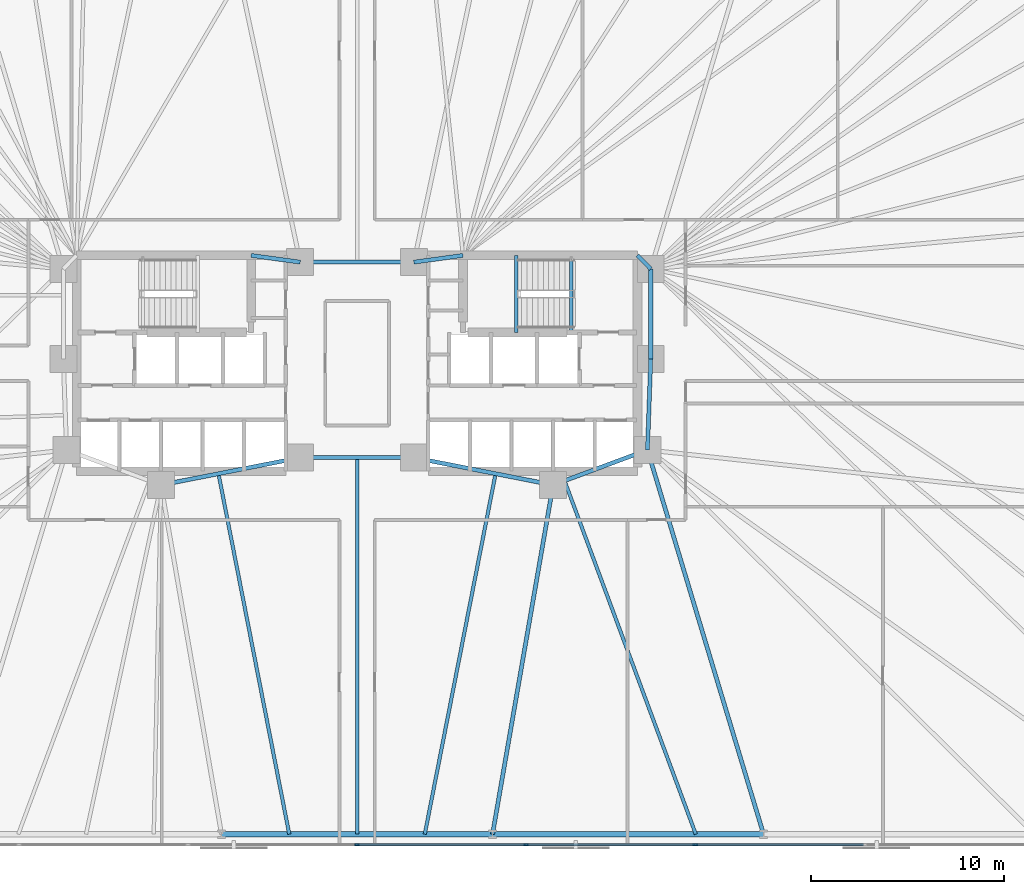
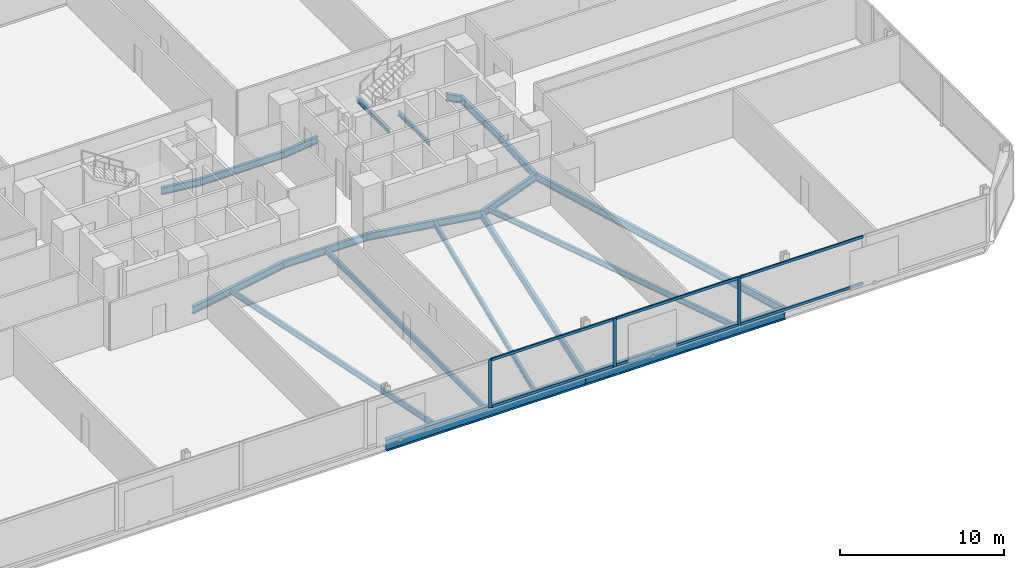
# One storey, part 7 of 17: 20 beams, 9 members, 1 element without a shape of its own.
"""IFC4 building model written with IfcOpenShell, lengths in metres."""

from ifc_helpers import new_model, si_unit, direction, frame, origin, origin_2d, place, context, subcontext, project, spatial, rectangle, i_section, extrude, material, material_profile, profile_set, type_object, element, aggregate, save


model = new_model("IFC4")

# Units and contexts
model_context = context("Model", 3, precision=1e-05, world=origin(), true_north=direction((0.0, 1.0)))
body_context = subcontext(model_context, "Body", "Model", "MODEL_VIEW")
ifc_project = project(units=[si_unit("LENGTHUNIT", "METRE"), si_unit("AREAUNIT", "SQUARE_METRE"), si_unit("VOLUMEUNIT", "CUBIC_METRE"), si_unit("PLANEANGLEUNIT", "RADIAN"), si_unit("MASSUNIT", "GRAM", prefix="KILO")], contexts=[model_context])

# Site, building, storey
site_placement = place(None, origin())
site = spatial("IfcSite", under=ifc_project, at=site_placement, CompositionType="ELEMENT")
building_placement = place(site_placement, origin())
building = spatial("IfcBuilding", under=site, at=building_placement, Name="Menara Jurai Vektor", CompositionType="ELEMENT")
storey_placement = place(building_placement, frame((0.0, 0.0, 18.0)))
storey = spatial("IfcBuildingStorey", under=building, at=storey_placement, Name="L03", CompositionType="ELEMENT", Elevation=18.0)

# Curtain wall, members
ifc_material_1 = material(Name="Anodised Pale Aluminium & Low-E Double Glazing", Category="aluminium")
curtain_wall_type = type_object("IfcCurtainWallType", Name="CW-BLK1", PredefinedType="NOTDEFINED", material=ifc_material_1)
curtain_wall_placement = place(storey_placement, origin())
curtain_wall = element("IfcCurtainWall", 1, at=curtain_wall_placement, inside=storey, type_object=curtain_wall_type, Name="Unitised Curtain Wall L03 F01", PredefinedType="NOTDEFINED")
ifc_material_2 = material(Name="Anodised Pale Aluminium Mullion", Category="aluminium")
ifc_material_profile_1 = material_profile(ifc_material_2, rectangle(XDim=0.094970703125, YDim=0.239990234375, at=origin_2d()), Name="ALU MUL 95x240")
ifc_profile_set_1 = profile_set([ifc_material_profile_1], Name="Anodised Pale Aluminium Mullion")
member_type_1 = type_object("IfcMemberType", Name="CW-BLK1-MUL", PredefinedType="MULLION", material=ifc_profile_set_1)
member_1_placement = place(storey_placement, frame((0.0, -25.0, 0.0), z_axis=(0.0, 0.0, 1.0), x_axis=(0.0, 1.0, 0.0)))
member_1 = element("IfcMember", 2, at=member_1_placement, type_object=member_type_1, Name="CW-01 mullion 5", PredefinedType="MULLION", context=body_context, shape_type="SweptSolid", body=[
    extrude(rectangle(XDim=0.094970703125, YDim=0.239990234375, at=origin_2d()), origin(), (0.0, 0.0, 1.0), 3.574951171875),
])
member_2_placement = place(storey_placement, frame((8.780029296875, -25.0, 0.0), z_axis=(0.0, 0.0, 1.0), x_axis=(0.0, 1.0, 0.0)))
member_2 = element("IfcMember", 3, at=member_2_placement, type_object=member_type_1, Name="CW-01 mullion 6", PredefinedType="MULLION", context=body_context, shape_type="SweptSolid", body=[
    extrude(rectangle(XDim=0.094970703125, YDim=0.239990234375, at=origin_2d()), origin(), (0.0, 0.0, 1.0), 3.574951171875),
])
member_3_placement = place(storey_placement, frame((17.56005859375, -25.0, 0.0), z_axis=(0.0, 0.0, 1.0), x_axis=(0.0, 1.0, 0.0)))
member_3 = element("IfcMember", 4, at=member_3_placement, type_object=member_type_1, Name="CW-01 mullion 7", PredefinedType="MULLION", context=body_context, shape_type="SweptSolid", body=[
    extrude(rectangle(XDim=0.094970703125, YDim=0.239990234375, at=origin_2d()), origin(), (0.0, 0.0, 1.0), 3.574951171875),
])
ifc_material_3 = material(Name="Anodised Pale Aluminium Transom", Category="aluminium")
ifc_material_profile_2 = material_profile(ifc_material_3, rectangle(XDim=0.094970703125, YDim=0.199951171875, at=origin_2d()), Name="ALU TRN 95x200")
ifc_profile_set_2 = profile_set([ifc_material_profile_2], Name="Anodised Pale Aluminium Transom")
member_type_2 = type_object("IfcMemberType", Name="CW-BLK1-TRN", PredefinedType="USERDEFINED", material=ifc_profile_set_2)
member_4_placement = place(storey_placement, frame((0.047607421875, -25.0, 0.047607421875), z_axis=(1.0, 0.0, 0.0), x_axis=(0.0, 1.0, 0.0)))
member_4 = element("IfcMember", 5, at=member_4_placement, type_object=member_type_2, Name="CW-01 transom 5.1", ObjectType="TRANSOM", PredefinedType="USERDEFINED", context=body_context, shape_type="SweptSolid", body=[
    extrude(rectangle(XDim=0.094970703125, YDim=0.199951171875, at=origin_2d()), origin(), (0.0, 0.0, 1.0), 8.684814453125),
])
member_5_placement = place(storey_placement, frame((0.047607421875, -25.0, 3.527587890625), z_axis=(1.0, 0.0, 0.0), x_axis=(0.0, 1.0, 0.0)))
member_5 = element("IfcMember", 6, at=member_5_placement, type_object=member_type_2, Name="CW-01 transom 5.2", ObjectType="TRANSOM", PredefinedType="USERDEFINED", context=body_context, shape_type="SweptSolid", body=[
    extrude(rectangle(XDim=0.094970703125, YDim=0.199951171875, at=origin_2d()), origin(), (0.0, 0.0, 1.0), 8.684814453125),
])
member_6_placement = place(storey_placement, frame((8.827392578125, -25.0, 0.047607421875), z_axis=(1.0, 0.0, 0.0), x_axis=(0.0, 1.0, 0.0)))
member_6 = element("IfcMember", 7, at=member_6_placement, type_object=member_type_2, Name="CW-01 transom 6.1", ObjectType="TRANSOM", PredefinedType="USERDEFINED", context=body_context, shape_type="SweptSolid", body=[
    extrude(rectangle(XDim=0.094970703125, YDim=0.199951171875, at=origin_2d()), origin(), (0.0, 0.0, 1.0), 8.68505859375),
])
member_7_placement = place(storey_placement, frame((8.827392578125, -25.0, 3.527587890625), z_axis=(1.0, 0.0, 0.0), x_axis=(0.0, 1.0, 0.0)))
member_7 = element("IfcMember", 8, at=member_7_placement, type_object=member_type_2, Name="CW-01 transom 6.2", ObjectType="TRANSOM", PredefinedType="USERDEFINED", context=body_context, shape_type="SweptSolid", body=[
    extrude(rectangle(XDim=0.094970703125, YDim=0.199951171875, at=origin_2d()), origin(), (0.0, 0.0, 1.0), 8.68505859375),
])
member_8_placement = place(storey_placement, frame((17.607421875, -25.0, 0.047607421875), z_axis=(1.0, 0.0, 0.0), x_axis=(0.0, 1.0, 0.0)))
member_8 = element("IfcMember", 9, at=member_8_placement, type_object=member_type_2, Name="CW-01 transom 7.1", ObjectType="TRANSOM", PredefinedType="USERDEFINED", context=body_context, shape_type="SweptSolid", body=[
    extrude(rectangle(XDim=0.094970703125, YDim=0.199951171875, at=origin_2d()), origin(), (0.0, 0.0, 1.0), 8.68505859375),
])
member_9_placement = place(storey_placement, frame((17.607421875, -25.0, 3.527587890625), z_axis=(1.0, 0.0, 0.0), x_axis=(0.0, 1.0, 0.0)))
member_9 = element("IfcMember", 10, at=member_9_placement, type_object=member_type_2, Name="CW-01 transom 7.2", ObjectType="TRANSOM", PredefinedType="USERDEFINED", context=body_context, shape_type="SweptSolid", body=[
    extrude(rectangle(XDim=0.094970703125, YDim=0.199951171875, at=origin_2d()), origin(), (0.0, 0.0, 1.0), 8.68505859375),
])
aggregate(curtain_wall, [member_1, member_2, member_3, member_4, member_5, member_6, member_7, member_8, member_9])

# Beams
ifc_material_4 = material(Name="Steel S355", Category="steel")
ifc_material_profile_3 = material_profile(ifc_material_4, i_section(OverallWidth=0.2109375, OverallDepth=0.5390625, WebThickness=0.011962890625, FlangeThickness=0.01904296875, FilletRadius=0.012939453125, at=origin_2d()), Name="UKB 533x210x109")
ifc_profile_set_3 = profile_set([ifc_material_profile_3], Name="Steel S355")
beam_type_1 = type_object("IfcBeamType", Name="STR-BM-533", PredefinedType="BEAM", material=ifc_profile_set_3)
beam_1_placement = place(storey_placement, frame((-5.5, 5.60009765625, -0.494384765625), z_axis=(0.990706818608, -0.136014703483, 0.0), x_axis=(0.136014703483, 0.990706818608, 0.0)))
element("IfcBeam", 11, at=beam_1_placement, inside=storey, type_object=beam_type_1, Name="Core Ring Header Girder L03-CHW-N2", PredefinedType="BEAM", context=body_context, shape_type="SweptSolid", body=[
    extrude(i_section(OverallWidth=0.2109375, OverallDepth=0.5390625, WebThickness=0.011962890625, FlangeThickness=0.01904296875, FilletRadius=0.012939453125, at=origin_2d()), origin(), (0.0, 0.0, 1.0), 2.573974609375),
])
beam_2_placement = place(storey_placement, frame((-10.179931640625, -6.320068359375, -0.494384765625), z_axis=(0.981249044334, 0.192744164614, 0.0), x_axis=(-0.192744164614, 0.981249044334, 0.0)))
element("IfcBeam", 12, at=beam_2_placement, inside=storey, type_object=beam_type_1, Name="Core Ring Header Girder L03-CHW-S2", PredefinedType="BEAM", context=body_context, shape_type="SweptSolid", body=[
    extrude(i_section(OverallWidth=0.2109375, OverallDepth=0.5390625, WebThickness=0.011962890625, FlangeThickness=0.01904296875, FilletRadius=0.012939453125, at=origin_2d()), origin(), (0.0, 0.0, 1.0), 7.3681640625),
])
beam_3_placement = place(storey_placement, frame((2.949951171875, 5.25, -0.494384765625), z_axis=(0.990706818608, 0.136014703483, 0.0), x_axis=(-0.136014703483, 0.990706818608, 0.0)))
element("IfcBeam", 13, at=beam_3_placement, inside=storey, type_object=beam_type_1, Name="Core Ring Header Girder L03-CHE-N1", PredefinedType="BEAM", context=body_context, shape_type="SweptSolid", body=[
    extrude(i_section(OverallWidth=0.2109375, OverallDepth=0.5390625, WebThickness=0.011962890625, FlangeThickness=0.01904296875, FilletRadius=0.012939453125, at=origin_2d()), origin(), (0.0, 0.0, 1.0), 2.573974609375),
])
beam_4_placement = place(storey_placement, frame((14.56005859375, 5.60009765625, -0.494384765625), z_axis=(0.701871936926, -0.712303154672, 0.0), x_axis=(0.712303154672, 0.701871936926, 0.0)))
element("IfcBeam", 14, at=beam_4_placement, inside=storey, type_object=beam_type_1, Name="Core Ring Header Girder L03-CHE-N2", PredefinedType="BEAM", context=body_context, shape_type="SweptSolid", body=[
    extrude(i_section(OverallWidth=0.2109375, OverallDepth=0.5390625, WebThickness=0.011962890625, FlangeThickness=0.01904296875, FilletRadius=0.012939453125, at=origin_2d()), origin(), (0.0, 0.0, 1.0), 0.98291015625),
])
beam_5_placement = place(storey_placement, frame((15.25, 0.219970703125, -0.494384765625), z_axis=(0.0, 1.0, 0.0), x_axis=(-1.0, 0.0, 0.0)))
element("IfcBeam", 15, at=beam_5_placement, inside=storey, type_object=beam_type_1, Name="Core Ring Header Girder L03-CHE-E1", PredefinedType="BEAM", context=body_context, shape_type="SweptSolid", body=[
    extrude(i_section(OverallWidth=0.2109375, OverallDepth=0.5390625, WebThickness=0.011962890625, FlangeThickness=0.01904296875, FilletRadius=0.012939453125, at=origin_2d()), origin(), (0.0, 0.0, 1.0), 4.679931640625),
])
beam_6_placement = place(storey_placement, frame((15.080078125, -4.5, -0.494384765625), z_axis=(0.035977314146, 0.999352606874, 0.0), x_axis=(-0.999352606874, 0.035977314146, 0.0)))
element("IfcBeam", 16, at=beam_6_placement, inside=storey, type_object=beam_type_1, Name="Core Ring Header Girder L03-CHE-E2", PredefinedType="BEAM", context=body_context, shape_type="SweptSolid", body=[
    extrude(i_section(OverallWidth=0.2109375, OverallDepth=0.5390625, WebThickness=0.011962890625, FlangeThickness=0.01904296875, FilletRadius=0.012939453125, at=origin_2d()), origin(), (0.0, 0.0, 1.0), 4.72314453125),
])
beam_7_placement = place(storey_placement, frame((10.179931640625, -6.320068359375, -0.494384765625), z_axis=(0.937424400887, 0.348188874925, 0.0), x_axis=(-0.348188874925, 0.937424400887, 0.0)))
element("IfcBeam", 17, at=beam_7_placement, inside=storey, type_object=beam_type_1, Name="Core Ring Header Girder L03-CHE-S1", PredefinedType="BEAM", context=body_context, shape_type="SweptSolid", body=[
    extrude(i_section(OverallWidth=0.2109375, OverallDepth=0.5390625, WebThickness=0.011962890625, FlangeThickness=0.01904296875, FilletRadius=0.012939453125, at=origin_2d()), origin(), (0.0, 0.0, 1.0), 5.227294921875),
])
beam_8_placement = place(storey_placement, frame((2.949951171875, -4.89990234375, -0.494384765625), z_axis=(0.981249044334, -0.192744164614, 0.0), x_axis=(0.192744164614, 0.981249044334, 0.0)))
element("IfcBeam", 18, at=beam_8_placement, inside=storey, type_object=beam_type_1, Name="Core Ring Header Girder L03-CHE-S2", PredefinedType="BEAM", context=body_context, shape_type="SweptSolid", body=[
    extrude(i_section(OverallWidth=0.2109375, OverallDepth=0.5390625, WebThickness=0.011962890625, FlangeThickness=0.01904296875, FilletRadius=0.012939453125, at=origin_2d()), origin(), (0.0, 0.0, 1.0), 7.3681640625),
])
for number, where, z_axis, x_axis, name in (
    (19, (-2.949951171875, -4.89990234375, -0.494384765625), (1.0, 0.0, 0.0), (0.0, 1.0, 0.0), "Core Ring Header Girder L03-CC-1"),
    (20, (-2.949951171875, 5.25, -0.494384765625), (1.0, 0.0, 0.0), (0.0, 1.0, 0.0), "Core Ring Header Girder L03-CC-2"),
):
    element("IfcBeam", number, at=place(storey_placement, frame(where, z_axis=z_axis, x_axis=x_axis)), inside=storey, type_object=beam_type_1, Name=name, PredefinedType="BEAM", context=body_context, shape_type="SweptSolid", body=[
        extrude(i_section(OverallWidth=0.2109375, OverallDepth=0.5390625, WebThickness=0.011962890625, FlangeThickness=0.01904296875, FilletRadius=0.012939453125, at=origin_2d()), origin(), (0.0, 0.0, 1.0), 5.89990234375),
    ])
beam_9_placement = place(storey_placement, frame((7.03564453125, -24.449951171875, -0.494384765625), z_axis=(0.170880325642, 0.985291791455, 0.0), x_axis=(-0.985291791455, 0.170880325642, 0.0)))
element("IfcBeam", 21, at=beam_9_placement, inside=storey, type_object=beam_type_1, Name="Radial Floor Girder L03-S4", PredefinedType="BEAM", context=body_context, shape_type="SweptSolid", body=[
    extrude(i_section(OverallWidth=0.2109375, OverallDepth=0.5390625, WebThickness=0.011962890625, FlangeThickness=0.01904296875, FilletRadius=0.012939453125, at=origin_2d()), origin(), (0.0, 0.0, 1.0), 18.400634765625),
])
beam_10_placement = place(storey_placement, frame((21.106689453125, -24.449951171875, -0.494384765625), z_axis=(-0.289179812203, 0.957274796604, 0.0), x_axis=(-0.957274796604, -0.289179812203, 0.0)))
element("IfcBeam", 22, at=beam_10_placement, inside=storey, type_object=beam_type_1, Name="Radial Floor Girder L03-S5", PredefinedType="BEAM", context=body_context, shape_type="SweptSolid", body=[
    extrude(i_section(OverallWidth=0.2109375, OverallDepth=0.5390625, WebThickness=0.011962890625, FlangeThickness=0.01904296875, FilletRadius=0.012939453125, at=origin_2d()), origin(), (0.0, 0.0, 1.0), 20.84033203125),
])
ifc_material_profile_4 = material_profile(ifc_material_4, i_section(OverallWidth=0.178955078125, OverallDepth=0.408935546875, WebThickness=0.009033203125, FlangeThickness=0.013916015625, FilletRadius=0.010009765625, at=origin_2d()), Name="UKB 406x178x67")
ifc_profile_set_4 = profile_set([ifc_material_profile_4], Name="Steel S355")
beam_type_2 = type_object("IfcBeamType", Name="STR-JS-406", PredefinedType="JOIST", material=ifc_profile_set_4)
beam_11_placement = place(storey_placement, frame((-3.517822265625, -24.449951171875, -0.429443359375), z_axis=(-0.192723076671, 0.981253186348, 0.0), x_axis=(-0.981253186348, -0.192723076671, 0.0)))
element("IfcBeam", 23, at=beam_11_placement, inside=storey, type_object=beam_type_2, Name="Radial Secondary Floor Joist L03-JS04", PredefinedType="JOIST", context=body_context, shape_type="SweptSolid", body=[
    extrude(i_section(OverallWidth=0.178955078125, OverallDepth=0.408935546875, WebThickness=0.009033203125, FlangeThickness=0.013916015625, FilletRadius=0.010009765625, at=origin_2d()), origin(), (0.0, 0.0, 1.0), 19.07421875),
])
beam_12_placement = place(storey_placement, frame((0.0, -24.449951171875, -0.429443359375), z_axis=(0.0, 1.0, 0.0), x_axis=(-1.0, 0.0, 0.0)))
element("IfcBeam", 24, at=beam_12_placement, inside=storey, type_object=beam_type_2, Name="Radial Secondary Floor Joist L03-JS05", PredefinedType="JOIST", context=body_context, shape_type="SweptSolid", body=[
    extrude(i_section(OverallWidth=0.178955078125, OverallDepth=0.408935546875, WebThickness=0.009033203125, FlangeThickness=0.013916015625, FilletRadius=0.010009765625, at=origin_2d()), origin(), (0.0, 0.0, 1.0), 19.550048828125),
])
beam_13_placement = place(storey_placement, frame((3.517822265625, -24.449951171875, -0.429443359375), z_axis=(0.192723076671, 0.981253186348, 0.0), x_axis=(-0.981253186348, 0.192723076671, 0.0)))
element("IfcBeam", 25, at=beam_13_placement, inside=storey, type_object=beam_type_2, Name="Radial Secondary Floor Joist L03-JS06", PredefinedType="JOIST", context=body_context, shape_type="SweptSolid", body=[
    extrude(i_section(OverallWidth=0.178955078125, OverallDepth=0.408935546875, WebThickness=0.009033203125, FlangeThickness=0.013916015625, FilletRadius=0.010009765625, at=origin_2d()), origin(), (0.0, 0.0, 1.0), 19.07421875),
])
beam_14_placement = place(storey_placement, frame((17.5888671875, -24.449951171875, -0.429443359375), z_axis=(-0.348179014223, 0.937428063403, 0.0), x_axis=(-0.937428063403, -0.348179014223, 0.0)))
element("IfcBeam", 26, at=beam_14_placement, inside=storey, type_object=beam_type_2, Name="Radial Secondary Floor Joist L03-JS07", PredefinedType="JOIST", context=body_context, shape_type="SweptSolid", body=[
    extrude(i_section(OverallWidth=0.178955078125, OverallDepth=0.408935546875, WebThickness=0.009033203125, FlangeThickness=0.013916015625, FilletRadius=0.010009765625, at=origin_2d()), origin(), (0.0, 0.0, 1.0), 19.5751953125),
])
ifc_material_profile_5 = material_profile(ifc_material_4, i_section(OverallWidth=0.1650390625, OverallDepth=0.302978515625, WebThickness=0.006103515625, FlangeThickness=0.010009765625, FilletRadius=0.009033203125, at=origin_2d()), Name="UKB 305x165x40")
ifc_profile_set_5 = profile_set([ifc_material_profile_5], Name="Steel S355")
beam_type_3 = type_object("IfcBeamType", Name="STR-LN-305", PredefinedType="LINTEL", material=ifc_profile_set_5)
beam_15_placement = place(storey_placement, frame((11.1201171875, 1.60009765625, -0.37646484375), z_axis=(0.0, 1.0, 0.0), x_axis=(-1.0, 0.0, 0.0)))
element("IfcBeam", 27, at=beam_15_placement, inside=storey, type_object=beam_type_3, Name="Stair Well Floor Trimmer ST2 L03", PredefinedType="LINTEL", context=body_context, shape_type="SweptSolid", body=[
    extrude(i_section(OverallWidth=0.1650390625, OverallDepth=0.302978515625, WebThickness=0.006103515625, FlangeThickness=0.010009765625, FilletRadius=0.009033203125, at=origin_2d()), origin(), (0.0, 0.0, 1.0), 3.81982421875),
])
beam_16_placement = place(storey_placement, frame((8.27001953125, 1.60009765625, 1.548583984375), z_axis=(0.0, 1.0, 0.0), x_axis=(-1.0, 0.0, 0.0)))
element("IfcBeam", 28, at=beam_16_placement, inside=storey, type_object=beam_type_3, Name="Stair Half-Landing Nosing Trimmer ST2-1 L03", PredefinedType="LINTEL", context=body_context, shape_type="SweptSolid", body=[
    extrude(i_section(OverallWidth=0.1650390625, OverallDepth=0.302978515625, WebThickness=0.006103515625, FlangeThickness=0.010009765625, FilletRadius=0.009033203125, at=origin_2d()), origin(), (0.0, 0.0, 1.0), 4.0),
])
ifc_material_5 = material(Name="Steel S460", Category="steel")
ifc_material_profile_6 = material_profile(ifc_material_5, i_section(OverallWidth=0.2939453125, OverallDepth=0.85107421875, WebThickness=0.01611328125, FlangeThickness=0.027099609375, FilletRadius=0.01806640625, at=origin_2d()), Name="UKB 838x292x226")
ifc_profile_set_6 = profile_set([ifc_material_profile_6], Name="Steel S460")
beam_type_4 = type_object("IfcBeamType", Name="STR-SP-838", PredefinedType="SPANDREL", material=ifc_profile_set_6)
beam_17_placement = place(storey_placement, frame((-7.03564453125, -24.449951171875, -0.650390625), z_axis=(1.0, 0.0, 0.0), x_axis=(0.0, 1.0, 0.0)))
element("IfcBeam", 29, at=beam_17_placement, inside=storey, type_object=beam_type_4, Name="Exoskeleton Spandrel Beam L03-03", PredefinedType="SPANDREL", context=body_context, shape_type="SweptSolid", body=[
    extrude(i_section(OverallWidth=0.2939453125, OverallDepth=0.85107421875, WebThickness=0.01611328125, FlangeThickness=0.027099609375, FilletRadius=0.01806640625, at=origin_2d()), origin(), (0.0, 0.0, 1.0), 14.0712890625),
])
beam_18_placement = place(storey_placement, frame((7.03564453125, -24.449951171875, -0.650390625), z_axis=(1.0, 0.0, 0.0), x_axis=(0.0, 1.0, 0.0)))
element("IfcBeam", 30, at=beam_18_placement, inside=storey, type_object=beam_type_4, Name="Exoskeleton Spandrel Beam L03-04", PredefinedType="SPANDREL", context=body_context, shape_type="SweptSolid", body=[
    extrude(i_section(OverallWidth=0.2939453125, OverallDepth=0.85107421875, WebThickness=0.01611328125, FlangeThickness=0.027099609375, FilletRadius=0.01806640625, at=origin_2d()), origin(), (0.0, 0.0, 1.0), 14.071044921875),
])

save(model, "model.ifc")
